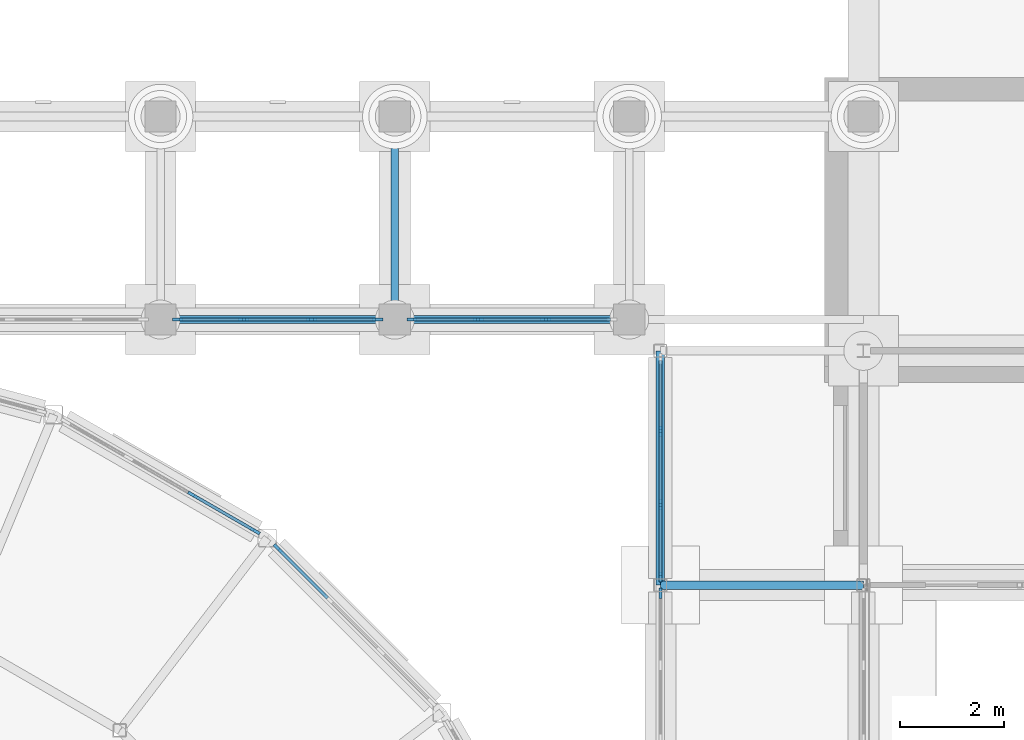
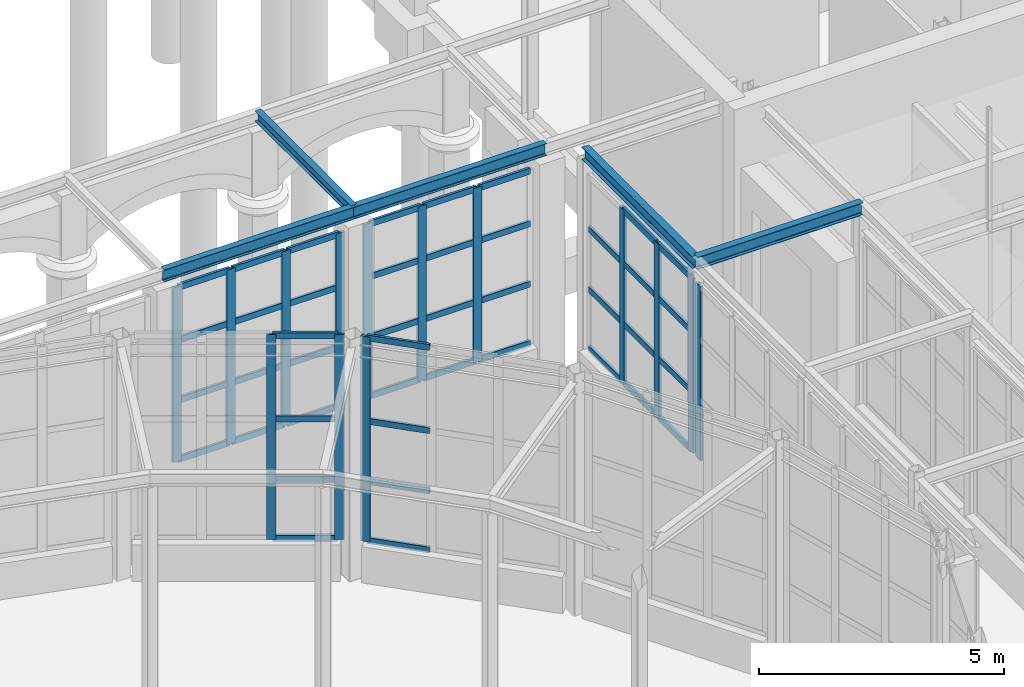
# One storey, part 48 of 106: 57 members, 5 beams, 6 elements without a shape of their own.
"""IFC4 building model written with IfcOpenShell, lengths in metres."""

from ifc_helpers import new_model, si_unit, direction, frame, origin, origin_2d, place, context, subcontext, project, spatial, rectangle, i_section, extrude, material, layer, layer_set, material_profile, profile_set, type_object, element, aggregate, save


model = new_model("IFC4")

# Units and contexts
model_context = context("Model", 3, precision=1e-05, world=origin(), true_north=direction((0.0, 1.0)))
body_context = subcontext(model_context, "Body", "Model", "MODEL_VIEW")
ifc_project = project(units=[si_unit("LENGTHUNIT", "METRE"), si_unit("AREAUNIT", "SQUARE_METRE"), si_unit("VOLUMEUNIT", "CUBIC_METRE"), si_unit("PLANEANGLEUNIT", "RADIAN"), si_unit("MASSUNIT", "GRAM", prefix="KILO")], contexts=[model_context])

# Site, building, storey
site_placement = place(None, origin())
site = spatial("IfcSite", under=ifc_project, at=site_placement, CompositionType="ELEMENT")
building_placement = place(site_placement, origin())
building = spatial("IfcBuilding", under=site, at=building_placement, Name="Hortulan Conservatory and Botanical Research Centre", CompositionType="ELEMENT")
storey_placement = place(building_placement, origin())
storey = spatial("IfcBuildingStorey", under=building, at=storey_placement, Name="L00", CompositionType="ELEMENT", Elevation=0.0)

# Beams
ifc_material_1 = material(Name="Steel Grade 300PLUS (AS/NZS 3679.1, 280 MPa minimum yield)", Category="steel")
ifc_material_profile_1 = material_profile(ifc_material_1, i_section(OverallWidth=0.14599609375, OverallDepth=0.251953125, WebThickness=0.006103515625, FlangeThickness=0.008544921875, FilletRadius=0.0087890625, at=origin_2d()), Name="250UB31.4")
ifc_profile_set_1 = profile_set([ifc_material_profile_1], Name="Steel Grade 300PLUS (AS/NZS 3679.1, 280 MPa minimum yield)")
beam_type_1 = type_object("IfcBeamType", Name="Arcade Cross Beam 250UB31.4", PredefinedType="BEAM", material=ifc_profile_set_1)
beam_1_placement = place(storey_placement, frame((67.5, 36.60009765625, 5.674072265625), z_axis=(0.0, 1.0, 0.0), x_axis=(-1.0, 0.0, 0.0)))
element("IfcBeam", 1, at=beam_1_placement, inside=storey, type_object=beam_type_1, Name="Arcade cross beam 25", PredefinedType="BEAM", context=body_context, shape_type="SweptSolid", body=[
    extrude(i_section(OverallWidth=0.14599609375, OverallDepth=0.251953125, WebThickness=0.006103515625, FlangeThickness=0.008544921875, FilletRadius=0.0087890625, at=origin_2d()), origin(), (0.0, 0.0, 1.0), 3.89990234375),
])
ifc_material_profile_2 = material_profile(ifc_material_1, i_section(OverallWidth=0.14892578125, OverallDepth=0.298095703125, WebThickness=0.005615234375, FlangeThickness=0.008056640625, FilletRadius=0.012939453125, at=origin_2d()), Name="310UB32.0")
ifc_profile_set_2 = profile_set([ifc_material_profile_2], Name="Steel Grade 300PLUS (AS/NZS 3679.1, 280 MPa minimum yield)")
beam_type_2 = type_object("IfcBeamType", Name="Arcade Rear Beam 310UB32.0", PredefinedType="BEAM", material=ifc_profile_set_2)
for number, where, z_axis, x_axis, name in (
    (2, (63.0, 36.60009765625, 5.65087890625), (1.0, 0.0, 0.0), (0.0, 1.0, 0.0), "Arcade rear beam 16"),
    (3, (67.5, 36.60009765625, 5.65087890625), (1.0, 0.0, 0.0), (0.0, 1.0, 0.0), "Arcade rear beam 17"),
):
    element("IfcBeam", number, at=place(storey_placement, frame(where, z_axis=z_axis, x_axis=x_axis)), inside=storey, type_object=beam_type_2, Name=name, PredefinedType="BEAM", context=body_context, shape_type="SweptSolid", body=[
        extrude(i_section(OverallWidth=0.14892578125, OverallDepth=0.298095703125, WebThickness=0.005615234375, FlangeThickness=0.008056640625, FilletRadius=0.012939453125, at=origin_2d()), origin(), (0.0, 0.0, 1.0), 4.5),
    ])

# Curtain wall, member
ifc_material_2 = material(Name="Bronze-finished aluminium", Category="aluminium")
ifc_layer = layer(ifc_material_2, 0.10009765625)
ifc_layer_set = layer_set([ifc_layer], Name="Bronze-framed Curtain Wall 1500 module")
curtain_wall_type = type_object("IfcCurtainWallType", Name="Bronze-framed Curtain Wall 1500 module", PredefinedType="NOTDEFINED", material=ifc_layer_set)
curtain_wall_1_placement = place(storey_placement, origin())
curtain_wall_1 = element("IfcCurtainWall", 4, at=curtain_wall_1_placement, inside=storey, type_object=curtain_wall_type, Name="Curtain wall", PredefinedType="NOTDEFINED")
ifc_material_profile_3 = material_profile(ifc_material_2, rectangle(XDim=0.06005859375, YDim=0.199951171875, at=origin_2d()), Name="Bronze Mullion 60x200")
ifc_profile_set_3 = profile_set([ifc_material_profile_3], Name="Bronze-finished aluminium")
member_type_1 = type_object("IfcMemberType", Name="Bronze Mullion 60x200", PredefinedType="MULLION", material=ifc_profile_set_3)
member_1_placement = place(storey_placement, frame((65.248291015625, 32.207763671875, 0.89990234375), z_axis=(0.0, 0.0, 1.0), x_axis=(0.707106781187, 0.707106781187, 0.0)))
member_1 = element("IfcMember", 5, at=member_1_placement, type_object=member_type_1, Name="CW1 mullion 1", PredefinedType="MULLION", context=body_context, shape_type="SweptSolid", body=[
    extrude(rectangle(XDim=0.06005859375, YDim=0.199951171875, at=origin_2d()), origin(), (0.0, 0.0, 1.0), 5.10009765625),
])

# Curtain wall, members
curtain_wall_2_placement = place(storey_placement, origin())
curtain_wall_2 = element("IfcCurtainWall", 6, at=curtain_wall_2_placement, inside=storey, type_object=curtain_wall_type, Name="Curtain wall", PredefinedType="NOTDEFINED")
member_2_placement = place(storey_placement, frame((63.614990234375, 33.2333984375, 0.89990234375), z_axis=(0.0, 0.0, 1.0), x_axis=(0.499981160235, 0.866036280655, 0.0)))
member_2 = element("IfcMember", 7, at=member_2_placement, type_object=member_type_1, Name="CW1 mullion 3", PredefinedType="MULLION", context=body_context, shape_type="SweptSolid", body=[
    extrude(rectangle(XDim=0.06005859375, YDim=0.199951171875, at=origin_2d()), origin(), (0.0, 0.0, 1.0), 5.10009765625),
])
member_3_placement = place(storey_placement, frame((64.81884765625, 32.538330078125, 0.89990234375), z_axis=(0.0, 0.0, 1.0), x_axis=(0.499981160235, 0.866036280655, 0.0)))
member_3 = element("IfcMember", 8, at=member_3_placement, type_object=member_type_1, Name="CW1 mullion 4", PredefinedType="MULLION", context=body_context, shape_type="SweptSolid", body=[
    extrude(rectangle(XDim=0.06005859375, YDim=0.199951171875, at=origin_2d()), origin(), (0.0, 0.0, 1.0), 5.10009765625),
])

# Curtain wall, member
curtain_wall_3_placement = place(storey_placement, origin())
curtain_wall_3 = element("IfcCurtainWall", 9, at=curtain_wall_3_placement, inside=storey, type_object=curtain_wall_type, Name="Curtain wall", PredefinedType="NOTDEFINED")
member_4_placement = place(storey_placement, frame((72.60009765625, 31.344970703125, 0.89990234375), z_axis=(0.0, 0.0, 1.0), x_axis=(-1.0, 0.0, 0.0)))
member_4 = element("IfcMember", 10, at=member_4_placement, type_object=member_type_1, Name="CW1 mullion 4", PredefinedType="MULLION", context=body_context, shape_type="SweptSolid", body=[
    extrude(rectangle(XDim=0.06005859375, YDim=0.199951171875, at=origin_2d()), origin(), (0.0, 0.0, 1.0), 4.340087890625),
])
aggregate(curtain_wall_3, [member_4])

# Curtain wall, members
curtain_wall_4_placement = place(storey_placement, origin())
curtain_wall_4 = element("IfcCurtainWall", 11, at=curtain_wall_4_placement, inside=storey, type_object=curtain_wall_type, Name="Curtain wall", PredefinedType="NOTDEFINED")
member_5_placement = place(storey_placement, frame((72.60009765625, 31.655029296875, 0.89990234375), z_axis=(0.0, 0.0, 1.0), x_axis=(-1.0, 0.0, 0.0)))
member_5 = element("IfcMember", 12, at=member_5_placement, type_object=member_type_1, Name="CW1 mullion 1", PredefinedType="MULLION", context=body_context, shape_type="SweptSolid", body=[
    extrude(rectangle(XDim=0.06005859375, YDim=0.199951171875, at=origin_2d()), origin(), (0.0, 0.0, 1.0), 4.340087890625),
])
member_6_placement = place(storey_placement, frame((72.60009765625, 33.041748046875, 0.89990234375), z_axis=(0.0, 0.0, 1.0), x_axis=(-1.0, 0.0, 0.0)))
member_6 = element("IfcMember", 13, at=member_6_placement, type_object=member_type_1, Name="CW1 mullion 2", PredefinedType="MULLION", context=body_context, shape_type="SweptSolid", body=[
    extrude(rectangle(XDim=0.06005859375, YDim=0.199951171875, at=origin_2d()), origin(), (0.0, 0.0, 1.0), 4.340087890625),
])
member_7_placement = place(storey_placement, frame((72.60009765625, 34.458251953125, 0.89990234375), z_axis=(0.0, 0.0, 1.0), x_axis=(-1.0, 0.0, 0.0)))
member_7 = element("IfcMember", 14, at=member_7_placement, type_object=member_type_1, Name="CW1 mullion 3", PredefinedType="MULLION", context=body_context, shape_type="SweptSolid", body=[
    extrude(rectangle(XDim=0.06005859375, YDim=0.199951171875, at=origin_2d()), origin(), (0.0, 0.0, 1.0), 4.340087890625),
])

curtain_wall_5_placement = place(storey_placement, origin())
curtain_wall_5 = element("IfcCurtainWall", 15, at=curtain_wall_5_placement, inside=storey, type_object=curtain_wall_type, Name="Curtain wall", PredefinedType="NOTDEFINED")
member_8_placement = place(storey_placement, frame((63.330078125, 36.60009765625, 0.89990234375), z_axis=(0.0, 0.0, 1.0), x_axis=(0.0, 1.0, 0.0)))
member_8 = element("IfcMember", 16, at=member_8_placement, type_object=member_type_1, Name="CW1 mullion 1", PredefinedType="MULLION", context=body_context, shape_type="SweptSolid", body=[
    extrude(rectangle(XDim=0.06005859375, YDim=0.199951171875, at=origin_2d()), origin(), (0.0, 0.0, 1.0), 4.340087890625),
])
member_9_placement = place(storey_placement, frame((64.60009765625, 36.60009765625, 0.89990234375), z_axis=(0.0, 0.0, 1.0), x_axis=(0.0, 1.0, 0.0)))
member_9 = element("IfcMember", 17, at=member_9_placement, type_object=member_type_1, Name="CW1 mullion 2", PredefinedType="MULLION", context=body_context, shape_type="SweptSolid", body=[
    extrude(rectangle(XDim=0.06005859375, YDim=0.199951171875, at=origin_2d()), origin(), (0.0, 0.0, 1.0), 4.340087890625),
])
member_10_placement = place(storey_placement, frame((65.89990234375, 36.60009765625, 0.89990234375), z_axis=(0.0, 0.0, 1.0), x_axis=(0.0, 1.0, 0.0)))
member_10 = element("IfcMember", 18, at=member_10_placement, type_object=member_type_1, Name="CW1 mullion 3", PredefinedType="MULLION", context=body_context, shape_type="SweptSolid", body=[
    extrude(rectangle(XDim=0.06005859375, YDim=0.199951171875, at=origin_2d()), origin(), (0.0, 0.0, 1.0), 4.340087890625),
])
member_11_placement = place(storey_placement, frame((67.169921875, 36.60009765625, 0.89990234375), z_axis=(0.0, 0.0, 1.0), x_axis=(0.0, 1.0, 0.0)))
member_11 = element("IfcMember", 19, at=member_11_placement, type_object=member_type_1, Name="CW1 mullion 4", PredefinedType="MULLION", context=body_context, shape_type="SweptSolid", body=[
    extrude(rectangle(XDim=0.06005859375, YDim=0.199951171875, at=origin_2d()), origin(), (0.0, 0.0, 1.0), 4.340087890625),
])

curtain_wall_6_placement = place(storey_placement, origin())
curtain_wall_6 = element("IfcCurtainWall", 20, at=curtain_wall_6_placement, inside=storey, type_object=curtain_wall_type, Name="Curtain wall", PredefinedType="NOTDEFINED")
member_12_placement = place(storey_placement, frame((67.830078125, 36.60009765625, 0.89990234375), z_axis=(0.0, 0.0, 1.0), x_axis=(0.0, 1.0, 0.0)))
member_12 = element("IfcMember", 21, at=member_12_placement, type_object=member_type_1, Name="CW1 mullion 1", PredefinedType="MULLION", context=body_context, shape_type="SweptSolid", body=[
    extrude(rectangle(XDim=0.06005859375, YDim=0.199951171875, at=origin_2d()), origin(), (0.0, 0.0, 1.0), 4.340087890625),
])
member_13_placement = place(storey_placement, frame((69.10009765625, 36.60009765625, 0.89990234375), z_axis=(0.0, 0.0, 1.0), x_axis=(0.0, 1.0, 0.0)))
member_13 = element("IfcMember", 22, at=member_13_placement, type_object=member_type_1, Name="CW1 mullion 2", PredefinedType="MULLION", context=body_context, shape_type="SweptSolid", body=[
    extrude(rectangle(XDim=0.06005859375, YDim=0.199951171875, at=origin_2d()), origin(), (0.0, 0.0, 1.0), 4.340087890625),
])
member_14_placement = place(storey_placement, frame((70.39990234375, 36.60009765625, 0.89990234375), z_axis=(0.0, 0.0, 1.0), x_axis=(0.0, 1.0, 0.0)))
member_14 = element("IfcMember", 23, at=member_14_placement, type_object=member_type_1, Name="CW1 mullion 3", PredefinedType="MULLION", context=body_context, shape_type="SweptSolid", body=[
    extrude(rectangle(XDim=0.06005859375, YDim=0.199951171875, at=origin_2d()), origin(), (0.0, 0.0, 1.0), 4.340087890625),
])

# Member
ifc_material_profile_4 = material_profile(ifc_material_2, rectangle(XDim=0.06005859375, YDim=0.14990234375, at=origin_2d()), Name="Bronze Transom 60x150")
ifc_profile_set_4 = profile_set([ifc_material_profile_4], Name="Bronze-finished aluminium")
member_type_2 = type_object("IfcMemberType", Name="Bronze Transom 60x150", PredefinedType="USERDEFINED", material=ifc_profile_set_4)
member_15_placement = place(storey_placement, frame((65.26953125, 32.1865234375, 0.929931640625), z_axis=(0.707014644009, -0.70719890636, 0.0), x_axis=(0.70719890636, 0.707014644009, 0.0)))
member_15 = element("IfcMember", 24, at=member_15_placement, type_object=member_type_2, Name="CW1 transom 1.1", ObjectType="TRANSOM", PredefinedType="USERDEFINED", context=body_context, shape_type="SweptSolid", body=[
    extrude(rectangle(XDim=0.06005859375, YDim=0.14990234375, at=origin_2d()), origin(), (0.0, 0.0, 1.0), 1.324951171875),
])

member_16_placement = place(storey_placement, frame((65.26953125, 32.1865234375, 2.39990234375), z_axis=(0.707014644009, -0.70719890636, 0.0), x_axis=(0.70719890636, 0.707014644009, 0.0)))
member_16 = element("IfcMember", 25, at=member_16_placement, type_object=member_type_2, Name="CW1 transom 1.2", ObjectType="TRANSOM", PredefinedType="USERDEFINED", context=body_context, shape_type="SweptSolid", body=[
    extrude(rectangle(XDim=0.06005859375, YDim=0.14990234375, at=origin_2d()), origin(), (0.0, 0.0, 1.0), 1.324951171875),
])

member_17_placement = place(storey_placement, frame((65.26953125, 32.1865234375, 3.89990234375), z_axis=(0.707014644009, -0.70719890636, 0.0), x_axis=(0.70719890636, 0.707014644009, 0.0)))
member_17 = element("IfcMember", 26, at=member_17_placement, type_object=member_type_2, Name="CW1 transom 1.3", ObjectType="TRANSOM", PredefinedType="USERDEFINED", context=body_context, shape_type="SweptSolid", body=[
    extrude(rectangle(XDim=0.06005859375, YDim=0.14990234375, at=origin_2d()), origin(), (0.0, 0.0, 1.0), 1.324951171875),
])

member_18_placement = place(storey_placement, frame((65.26953125, 32.1865234375, 5.969970703125), z_axis=(0.707014644009, -0.70719890636, 0.0), x_axis=(0.70719890636, 0.707014644009, 0.0)))
member_18 = element("IfcMember", 27, at=member_18_placement, type_object=member_type_2, Name="CW1 transom 1.4", ObjectType="TRANSOM", PredefinedType="USERDEFINED", context=body_context, shape_type="SweptSolid", body=[
    extrude(rectangle(XDim=0.06005859375, YDim=0.14990234375, at=origin_2d()), origin(), (0.0, 0.0, 1.0), 1.324951171875),
])

aggregate(curtain_wall_1, [member_1, member_15, member_16, member_17, member_18])

member_19_placement = place(storey_placement, frame((63.640869140625, 33.218505859375, 0.929931640625), z_axis=(0.866066400931, -0.499928984136, 0.0), x_axis=(0.499928984136, 0.866066400931, 0.0)))
member_19 = element("IfcMember", 28, at=member_19_placement, type_object=member_type_2, Name="CW1 transom 3.1", ObjectType="TRANSOM", PredefinedType="USERDEFINED", context=body_context, shape_type="SweptSolid", body=[
    extrude(rectangle(XDim=0.06005859375, YDim=0.14990234375, at=origin_2d()), origin(), (0.0, 0.0, 1.0), 1.330322265625),
])

member_20_placement = place(storey_placement, frame((63.640869140625, 33.218505859375, 2.39990234375), z_axis=(0.866066400931, -0.499928984136, 0.0), x_axis=(0.499928984136, 0.866066400931, 0.0)))
member_20 = element("IfcMember", 29, at=member_20_placement, type_object=member_type_2, Name="CW1 transom 3.2", ObjectType="TRANSOM", PredefinedType="USERDEFINED", context=body_context, shape_type="SweptSolid", body=[
    extrude(rectangle(XDim=0.06005859375, YDim=0.14990234375, at=origin_2d()), origin(), (0.0, 0.0, 1.0), 1.330322265625),
])

member_21_placement = place(storey_placement, frame((63.640869140625, 33.218505859375, 3.89990234375), z_axis=(0.866066400931, -0.499928984136, 0.0), x_axis=(0.499928984136, 0.866066400931, 0.0)))
member_21 = element("IfcMember", 30, at=member_21_placement, type_object=member_type_2, Name="CW1 transom 3.3", ObjectType="TRANSOM", PredefinedType="USERDEFINED", context=body_context, shape_type="SweptSolid", body=[
    extrude(rectangle(XDim=0.06005859375, YDim=0.14990234375, at=origin_2d()), origin(), (0.0, 0.0, 1.0), 1.330322265625),
])

member_22_placement = place(storey_placement, frame((63.640869140625, 33.218505859375, 5.969970703125), z_axis=(0.866066400931, -0.499928984136, 0.0), x_axis=(0.499928984136, 0.866066400931, 0.0)))
member_22 = element("IfcMember", 31, at=member_22_placement, type_object=member_type_2, Name="CW1 transom 3.4", ObjectType="TRANSOM", PredefinedType="USERDEFINED", context=body_context, shape_type="SweptSolid", body=[
    extrude(rectangle(XDim=0.06005859375, YDim=0.14990234375, at=origin_2d()), origin(), (0.0, 0.0, 1.0), 1.330322265625),
])

aggregate(curtain_wall_2, [member_2, member_3, member_19, member_20, member_21, member_22])

member_23_placement = place(storey_placement, frame((72.60009765625, 31.68505859375, 0.929931640625), z_axis=(0.0, 1.0, 0.0), x_axis=(-1.0, 0.0, 0.0)))
member_23 = element("IfcMember", 32, at=member_23_placement, type_object=member_type_2, Name="CW1 transom 1.1", ObjectType="TRANSOM", PredefinedType="USERDEFINED", context=body_context, shape_type="SweptSolid", body=[
    extrude(rectangle(XDim=0.06005859375, YDim=0.14990234375, at=origin_2d()), origin(), (0.0, 0.0, 1.0), 1.32666015625),
])

member_24_placement = place(storey_placement, frame((72.60009765625, 31.68505859375, 2.39990234375), z_axis=(0.0, 1.0, 0.0), x_axis=(-1.0, 0.0, 0.0)))
member_24 = element("IfcMember", 33, at=member_24_placement, type_object=member_type_2, Name="CW1 transom 1.2", ObjectType="TRANSOM", PredefinedType="USERDEFINED", context=body_context, shape_type="SweptSolid", body=[
    extrude(rectangle(XDim=0.06005859375, YDim=0.14990234375, at=origin_2d()), origin(), (0.0, 0.0, 1.0), 1.32666015625),
])

member_25_placement = place(storey_placement, frame((72.60009765625, 31.68505859375, 3.89990234375), z_axis=(0.0, 1.0, 0.0), x_axis=(-1.0, 0.0, 0.0)))
member_25 = element("IfcMember", 34, at=member_25_placement, type_object=member_type_2, Name="CW1 transom 1.3", ObjectType="TRANSOM", PredefinedType="USERDEFINED", context=body_context, shape_type="SweptSolid", body=[
    extrude(rectangle(XDim=0.06005859375, YDim=0.14990234375, at=origin_2d()), origin(), (0.0, 0.0, 1.0), 1.32666015625),
])

member_26_placement = place(storey_placement, frame((72.60009765625, 31.68505859375, 5.2099609375), z_axis=(0.0, 1.0, 0.0), x_axis=(-1.0, 0.0, 0.0)))
member_26 = element("IfcMember", 35, at=member_26_placement, type_object=member_type_2, Name="CW1 transom 1.4", ObjectType="TRANSOM", PredefinedType="USERDEFINED", context=body_context, shape_type="SweptSolid", body=[
    extrude(rectangle(XDim=0.06005859375, YDim=0.14990234375, at=origin_2d()), origin(), (0.0, 0.0, 1.0), 1.32666015625),
])

member_27_placement = place(storey_placement, frame((72.60009765625, 33.07177734375, 0.929931640625), z_axis=(0.0, 1.0, 0.0), x_axis=(-1.0, 0.0, 0.0)))
member_27 = element("IfcMember", 36, at=member_27_placement, type_object=member_type_2, Name="CW1 transom 2.1", ObjectType="TRANSOM", PredefinedType="USERDEFINED", context=body_context, shape_type="SweptSolid", body=[
    extrude(rectangle(XDim=0.06005859375, YDim=0.14990234375, at=origin_2d()), origin(), (0.0, 0.0, 1.0), 1.3564453125),
])

member_28_placement = place(storey_placement, frame((72.60009765625, 33.07177734375, 2.39990234375), z_axis=(0.0, 1.0, 0.0), x_axis=(-1.0, 0.0, 0.0)))
member_28 = element("IfcMember", 37, at=member_28_placement, type_object=member_type_2, Name="CW1 transom 2.2", ObjectType="TRANSOM", PredefinedType="USERDEFINED", context=body_context, shape_type="SweptSolid", body=[
    extrude(rectangle(XDim=0.06005859375, YDim=0.14990234375, at=origin_2d()), origin(), (0.0, 0.0, 1.0), 1.3564453125),
])

member_29_placement = place(storey_placement, frame((72.60009765625, 33.07177734375, 3.89990234375), z_axis=(0.0, 1.0, 0.0), x_axis=(-1.0, 0.0, 0.0)))
member_29 = element("IfcMember", 38, at=member_29_placement, type_object=member_type_2, Name="CW1 transom 2.3", ObjectType="TRANSOM", PredefinedType="USERDEFINED", context=body_context, shape_type="SweptSolid", body=[
    extrude(rectangle(XDim=0.06005859375, YDim=0.14990234375, at=origin_2d()), origin(), (0.0, 0.0, 1.0), 1.3564453125),
])

member_30_placement = place(storey_placement, frame((72.60009765625, 33.07177734375, 5.2099609375), z_axis=(0.0, 1.0, 0.0), x_axis=(-1.0, 0.0, 0.0)))
member_30 = element("IfcMember", 39, at=member_30_placement, type_object=member_type_2, Name="CW1 transom 2.4", ObjectType="TRANSOM", PredefinedType="USERDEFINED", context=body_context, shape_type="SweptSolid", body=[
    extrude(rectangle(XDim=0.06005859375, YDim=0.14990234375, at=origin_2d()), origin(), (0.0, 0.0, 1.0), 1.3564453125),
])

member_31_placement = place(storey_placement, frame((72.60009765625, 34.48828125, 0.929931640625), z_axis=(0.0, 1.0, 0.0), x_axis=(-1.0, 0.0, 0.0)))
member_31 = element("IfcMember", 40, at=member_31_placement, type_object=member_type_2, Name="CW1 transom 3.1", ObjectType="TRANSOM", PredefinedType="USERDEFINED", context=body_context, shape_type="SweptSolid", body=[
    extrude(rectangle(XDim=0.06005859375, YDim=0.14990234375, at=origin_2d()), origin(), (0.0, 0.0, 1.0), 1.32666015625),
])

member_32_placement = place(storey_placement, frame((72.60009765625, 34.48828125, 2.39990234375), z_axis=(0.0, 1.0, 0.0), x_axis=(-1.0, 0.0, 0.0)))
member_32 = element("IfcMember", 41, at=member_32_placement, type_object=member_type_2, Name="CW1 transom 3.2", ObjectType="TRANSOM", PredefinedType="USERDEFINED", context=body_context, shape_type="SweptSolid", body=[
    extrude(rectangle(XDim=0.06005859375, YDim=0.14990234375, at=origin_2d()), origin(), (0.0, 0.0, 1.0), 1.32666015625),
])

member_33_placement = place(storey_placement, frame((72.60009765625, 34.48828125, 3.89990234375), z_axis=(0.0, 1.0, 0.0), x_axis=(-1.0, 0.0, 0.0)))
member_33 = element("IfcMember", 42, at=member_33_placement, type_object=member_type_2, Name="CW1 transom 3.3", ObjectType="TRANSOM", PredefinedType="USERDEFINED", context=body_context, shape_type="SweptSolid", body=[
    extrude(rectangle(XDim=0.06005859375, YDim=0.14990234375, at=origin_2d()), origin(), (0.0, 0.0, 1.0), 1.32666015625),
])

aggregate(curtain_wall_4, [member_5, member_6, member_7, member_23, member_24, member_25, member_26, member_27, member_28, member_29, member_30, member_31, member_32, member_33])

member_34_placement = place(storey_placement, frame((63.360107421875, 36.60009765625, 0.929931640625), z_axis=(1.0, 0.0, 0.0), x_axis=(0.0, 1.0, 0.0)))
member_34 = element("IfcMember", 43, at=member_34_placement, type_object=member_type_2, Name="CW1 transom 1.1", ObjectType="TRANSOM", PredefinedType="USERDEFINED", context=body_context, shape_type="SweptSolid", body=[
    extrude(rectangle(XDim=0.06005859375, YDim=0.14990234375, at=origin_2d()), origin(), (0.0, 0.0, 1.0), 1.2099609375),
])

member_35_placement = place(storey_placement, frame((63.360107421875, 36.60009765625, 2.39990234375), z_axis=(1.0, 0.0, 0.0), x_axis=(0.0, 1.0, 0.0)))
member_35 = element("IfcMember", 44, at=member_35_placement, type_object=member_type_2, Name="CW1 transom 1.2", ObjectType="TRANSOM", PredefinedType="USERDEFINED", context=body_context, shape_type="SweptSolid", body=[
    extrude(rectangle(XDim=0.06005859375, YDim=0.14990234375, at=origin_2d()), origin(), (0.0, 0.0, 1.0), 1.2099609375),
])

member_36_placement = place(storey_placement, frame((63.360107421875, 36.60009765625, 3.89990234375), z_axis=(1.0, 0.0, 0.0), x_axis=(0.0, 1.0, 0.0)))
member_36 = element("IfcMember", 45, at=member_36_placement, type_object=member_type_2, Name="CW1 transom 1.3", ObjectType="TRANSOM", PredefinedType="USERDEFINED", context=body_context, shape_type="SweptSolid", body=[
    extrude(rectangle(XDim=0.06005859375, YDim=0.14990234375, at=origin_2d()), origin(), (0.0, 0.0, 1.0), 1.2099609375),
])

member_37_placement = place(storey_placement, frame((63.360107421875, 36.60009765625, 5.2099609375), z_axis=(1.0, 0.0, 0.0), x_axis=(0.0, 1.0, 0.0)))
member_37 = element("IfcMember", 46, at=member_37_placement, type_object=member_type_2, Name="CW1 transom 1.4", ObjectType="TRANSOM", PredefinedType="USERDEFINED", context=body_context, shape_type="SweptSolid", body=[
    extrude(rectangle(XDim=0.06005859375, YDim=0.14990234375, at=origin_2d()), origin(), (0.0, 0.0, 1.0), 1.2099609375),
])

member_38_placement = place(storey_placement, frame((64.6298828125, 36.60009765625, 0.929931640625), z_axis=(1.0, 0.0, 0.0), x_axis=(0.0, 1.0, 0.0)))
member_38 = element("IfcMember", 47, at=member_38_placement, type_object=member_type_2, Name="CW1 transom 2.1", ObjectType="TRANSOM", PredefinedType="USERDEFINED", context=body_context, shape_type="SweptSolid", body=[
    extrude(rectangle(XDim=0.06005859375, YDim=0.14990234375, at=origin_2d()), origin(), (0.0, 0.0, 1.0), 1.240234375),
])

member_39_placement = place(storey_placement, frame((64.6298828125, 36.60009765625, 2.39990234375), z_axis=(1.0, 0.0, 0.0), x_axis=(0.0, 1.0, 0.0)))
member_39 = element("IfcMember", 48, at=member_39_placement, type_object=member_type_2, Name="CW1 transom 2.2", ObjectType="TRANSOM", PredefinedType="USERDEFINED", context=body_context, shape_type="SweptSolid", body=[
    extrude(rectangle(XDim=0.06005859375, YDim=0.14990234375, at=origin_2d()), origin(), (0.0, 0.0, 1.0), 1.240234375),
])

member_40_placement = place(storey_placement, frame((64.6298828125, 36.60009765625, 3.89990234375), z_axis=(1.0, 0.0, 0.0), x_axis=(0.0, 1.0, 0.0)))
member_40 = element("IfcMember", 49, at=member_40_placement, type_object=member_type_2, Name="CW1 transom 2.3", ObjectType="TRANSOM", PredefinedType="USERDEFINED", context=body_context, shape_type="SweptSolid", body=[
    extrude(rectangle(XDim=0.06005859375, YDim=0.14990234375, at=origin_2d()), origin(), (0.0, 0.0, 1.0), 1.240234375),
])

member_41_placement = place(storey_placement, frame((64.6298828125, 36.60009765625, 5.2099609375), z_axis=(1.0, 0.0, 0.0), x_axis=(0.0, 1.0, 0.0)))
member_41 = element("IfcMember", 50, at=member_41_placement, type_object=member_type_2, Name="CW1 transom 2.4", ObjectType="TRANSOM", PredefinedType="USERDEFINED", context=body_context, shape_type="SweptSolid", body=[
    extrude(rectangle(XDim=0.06005859375, YDim=0.14990234375, at=origin_2d()), origin(), (0.0, 0.0, 1.0), 1.240234375),
])

member_42_placement = place(storey_placement, frame((65.929931640625, 36.60009765625, 0.929931640625), z_axis=(1.0, 0.0, 0.0), x_axis=(0.0, 1.0, 0.0)))
member_42 = element("IfcMember", 51, at=member_42_placement, type_object=member_type_2, Name="CW1 transom 3.1", ObjectType="TRANSOM", PredefinedType="USERDEFINED", context=body_context, shape_type="SweptSolid", body=[
    extrude(rectangle(XDim=0.06005859375, YDim=0.14990234375, at=origin_2d()), origin(), (0.0, 0.0, 1.0), 1.2099609375),
])

member_43_placement = place(storey_placement, frame((65.929931640625, 36.60009765625, 2.39990234375), z_axis=(1.0, 0.0, 0.0), x_axis=(0.0, 1.0, 0.0)))
member_43 = element("IfcMember", 52, at=member_43_placement, type_object=member_type_2, Name="CW1 transom 3.2", ObjectType="TRANSOM", PredefinedType="USERDEFINED", context=body_context, shape_type="SweptSolid", body=[
    extrude(rectangle(XDim=0.06005859375, YDim=0.14990234375, at=origin_2d()), origin(), (0.0, 0.0, 1.0), 1.2099609375),
])

member_44_placement = place(storey_placement, frame((65.929931640625, 36.60009765625, 3.89990234375), z_axis=(1.0, 0.0, 0.0), x_axis=(0.0, 1.0, 0.0)))
member_44 = element("IfcMember", 53, at=member_44_placement, type_object=member_type_2, Name="CW1 transom 3.3", ObjectType="TRANSOM", PredefinedType="USERDEFINED", context=body_context, shape_type="SweptSolid", body=[
    extrude(rectangle(XDim=0.06005859375, YDim=0.14990234375, at=origin_2d()), origin(), (0.0, 0.0, 1.0), 1.2099609375),
])

member_45_placement = place(storey_placement, frame((65.929931640625, 36.60009765625, 5.2099609375), z_axis=(1.0, 0.0, 0.0), x_axis=(0.0, 1.0, 0.0)))
member_45 = element("IfcMember", 54, at=member_45_placement, type_object=member_type_2, Name="CW1 transom 3.4", ObjectType="TRANSOM", PredefinedType="USERDEFINED", context=body_context, shape_type="SweptSolid", body=[
    extrude(rectangle(XDim=0.06005859375, YDim=0.14990234375, at=origin_2d()), origin(), (0.0, 0.0, 1.0), 1.2099609375),
])

aggregate(curtain_wall_5, [member_8, member_9, member_10, member_11, member_34, member_35, member_36, member_37, member_38, member_39, member_40, member_41, member_42, member_43, member_44, member_45])

member_46_placement = place(storey_placement, frame((67.860107421875, 36.60009765625, 0.929931640625), z_axis=(1.0, 0.0, 0.0), x_axis=(0.0, 1.0, 0.0)))
member_46 = element("IfcMember", 55, at=member_46_placement, type_object=member_type_2, Name="CW1 transom 1.1", ObjectType="TRANSOM", PredefinedType="USERDEFINED", context=body_context, shape_type="SweptSolid", body=[
    extrude(rectangle(XDim=0.06005859375, YDim=0.14990234375, at=origin_2d()), origin(), (0.0, 0.0, 1.0), 1.2099609375),
])

member_47_placement = place(storey_placement, frame((67.860107421875, 36.60009765625, 2.39990234375), z_axis=(1.0, 0.0, 0.0), x_axis=(0.0, 1.0, 0.0)))
member_47 = element("IfcMember", 56, at=member_47_placement, type_object=member_type_2, Name="CW1 transom 1.2", ObjectType="TRANSOM", PredefinedType="USERDEFINED", context=body_context, shape_type="SweptSolid", body=[
    extrude(rectangle(XDim=0.06005859375, YDim=0.14990234375, at=origin_2d()), origin(), (0.0, 0.0, 1.0), 1.2099609375),
])

member_48_placement = place(storey_placement, frame((67.860107421875, 36.60009765625, 3.89990234375), z_axis=(1.0, 0.0, 0.0), x_axis=(0.0, 1.0, 0.0)))
member_48 = element("IfcMember", 57, at=member_48_placement, type_object=member_type_2, Name="CW1 transom 1.3", ObjectType="TRANSOM", PredefinedType="USERDEFINED", context=body_context, shape_type="SweptSolid", body=[
    extrude(rectangle(XDim=0.06005859375, YDim=0.14990234375, at=origin_2d()), origin(), (0.0, 0.0, 1.0), 1.2099609375),
])

member_49_placement = place(storey_placement, frame((67.860107421875, 36.60009765625, 5.2099609375), z_axis=(1.0, 0.0, 0.0), x_axis=(0.0, 1.0, 0.0)))
member_49 = element("IfcMember", 58, at=member_49_placement, type_object=member_type_2, Name="CW1 transom 1.4", ObjectType="TRANSOM", PredefinedType="USERDEFINED", context=body_context, shape_type="SweptSolid", body=[
    extrude(rectangle(XDim=0.06005859375, YDim=0.14990234375, at=origin_2d()), origin(), (0.0, 0.0, 1.0), 1.2099609375),
])

member_50_placement = place(storey_placement, frame((69.1298828125, 36.60009765625, 0.929931640625), z_axis=(1.0, 0.0, 0.0), x_axis=(0.0, 1.0, 0.0)))
member_50 = element("IfcMember", 59, at=member_50_placement, type_object=member_type_2, Name="CW1 transom 2.1", ObjectType="TRANSOM", PredefinedType="USERDEFINED", context=body_context, shape_type="SweptSolid", body=[
    extrude(rectangle(XDim=0.06005859375, YDim=0.14990234375, at=origin_2d()), origin(), (0.0, 0.0, 1.0), 1.240234375),
])

member_51_placement = place(storey_placement, frame((69.1298828125, 36.60009765625, 2.39990234375), z_axis=(1.0, 0.0, 0.0), x_axis=(0.0, 1.0, 0.0)))
member_51 = element("IfcMember", 60, at=member_51_placement, type_object=member_type_2, Name="CW1 transom 2.2", ObjectType="TRANSOM", PredefinedType="USERDEFINED", context=body_context, shape_type="SweptSolid", body=[
    extrude(rectangle(XDim=0.06005859375, YDim=0.14990234375, at=origin_2d()), origin(), (0.0, 0.0, 1.0), 1.240234375),
])

member_52_placement = place(storey_placement, frame((69.1298828125, 36.60009765625, 3.89990234375), z_axis=(1.0, 0.0, 0.0), x_axis=(0.0, 1.0, 0.0)))
member_52 = element("IfcMember", 61, at=member_52_placement, type_object=member_type_2, Name="CW1 transom 2.3", ObjectType="TRANSOM", PredefinedType="USERDEFINED", context=body_context, shape_type="SweptSolid", body=[
    extrude(rectangle(XDim=0.06005859375, YDim=0.14990234375, at=origin_2d()), origin(), (0.0, 0.0, 1.0), 1.240234375),
])

member_53_placement = place(storey_placement, frame((69.1298828125, 36.60009765625, 5.2099609375), z_axis=(1.0, 0.0, 0.0), x_axis=(0.0, 1.0, 0.0)))
member_53 = element("IfcMember", 62, at=member_53_placement, type_object=member_type_2, Name="CW1 transom 2.4", ObjectType="TRANSOM", PredefinedType="USERDEFINED", context=body_context, shape_type="SweptSolid", body=[
    extrude(rectangle(XDim=0.06005859375, YDim=0.14990234375, at=origin_2d()), origin(), (0.0, 0.0, 1.0), 1.240234375),
])

member_54_placement = place(storey_placement, frame((70.429931640625, 36.60009765625, 0.929931640625), z_axis=(1.0, 0.0, 0.0), x_axis=(0.0, 1.0, 0.0)))
member_54 = element("IfcMember", 63, at=member_54_placement, type_object=member_type_2, Name="CW1 transom 3.1", ObjectType="TRANSOM", PredefinedType="USERDEFINED", context=body_context, shape_type="SweptSolid", body=[
    extrude(rectangle(XDim=0.06005859375, YDim=0.14990234375, at=origin_2d()), origin(), (0.0, 0.0, 1.0), 1.2099609375),
])

member_55_placement = place(storey_placement, frame((70.429931640625, 36.60009765625, 2.39990234375), z_axis=(1.0, 0.0, 0.0), x_axis=(0.0, 1.0, 0.0)))
member_55 = element("IfcMember", 64, at=member_55_placement, type_object=member_type_2, Name="CW1 transom 3.2", ObjectType="TRANSOM", PredefinedType="USERDEFINED", context=body_context, shape_type="SweptSolid", body=[
    extrude(rectangle(XDim=0.06005859375, YDim=0.14990234375, at=origin_2d()), origin(), (0.0, 0.0, 1.0), 1.2099609375),
])

member_56_placement = place(storey_placement, frame((70.429931640625, 36.60009765625, 3.89990234375), z_axis=(1.0, 0.0, 0.0), x_axis=(0.0, 1.0, 0.0)))
member_56 = element("IfcMember", 65, at=member_56_placement, type_object=member_type_2, Name="CW1 transom 3.3", ObjectType="TRANSOM", PredefinedType="USERDEFINED", context=body_context, shape_type="SweptSolid", body=[
    extrude(rectangle(XDim=0.06005859375, YDim=0.14990234375, at=origin_2d()), origin(), (0.0, 0.0, 1.0), 1.2099609375),
])

member_57_placement = place(storey_placement, frame((70.429931640625, 36.60009765625, 5.2099609375), z_axis=(1.0, 0.0, 0.0), x_axis=(0.0, 1.0, 0.0)))
member_57 = element("IfcMember", 66, at=member_57_placement, type_object=member_type_2, Name="CW1 transom 3.4", ObjectType="TRANSOM", PredefinedType="USERDEFINED", context=body_context, shape_type="SweptSolid", body=[
    extrude(rectangle(XDim=0.06005859375, YDim=0.14990234375, at=origin_2d()), origin(), (0.0, 0.0, 1.0), 1.2099609375),
])

aggregate(curtain_wall_6, [member_12, member_13, member_14, member_46, member_47, member_48, member_49, member_50, member_51, member_52, member_53, member_54, member_55, member_56, member_57])

# Beams
ifc_material_profile_5 = material_profile(ifc_material_1, i_section(OverallWidth=0.1650390625, OverallDepth=0.303955078125, WebThickness=0.006103515625, FlangeThickness=0.01025390625, FilletRadius=0.011474609375, at=origin_2d()), Name="310UB40.4")
ifc_profile_set_5 = profile_set([ifc_material_profile_5], Name="Steel Grade 300PLUS (AS/NZS 3679.1, 280 MPa minimum yield)")
beam_type_3 = type_object("IfcBeamType", Name="Head Link Beam 310UB40.4", PredefinedType="BEAM", material=ifc_profile_set_5)
beam_2_placement = place(storey_placement, frame((72.60009765625, 31.5, 5.697998046875), z_axis=(0.0, 1.0, 0.0), x_axis=(-1.0, 0.0, 0.0)))
element("IfcBeam", 67, at=beam_2_placement, inside=storey, type_object=beam_type_3, Name="HE passage beam 5", PredefinedType="BEAM", context=body_context, shape_type="SweptSolid", body=[
    extrude(i_section(OverallWidth=0.1650390625, OverallDepth=0.303955078125, WebThickness=0.006103515625, FlangeThickness=0.01025390625, FilletRadius=0.011474609375, at=origin_2d()), origin(), (0.0, 0.0, 1.0), 4.5),
])
beam_3_placement = place(storey_placement, frame((72.60009765625, 31.5, 5.697998046875), z_axis=(1.0, 0.0, 0.0), x_axis=(0.0, 1.0, 0.0)))
element("IfcBeam", 68, at=beam_3_placement, inside=storey, type_object=beam_type_3, Name="HE passage beam 8", PredefinedType="BEAM", context=body_context, shape_type="SweptSolid", body=[
    extrude(i_section(OverallWidth=0.1650390625, OverallDepth=0.303955078125, WebThickness=0.006103515625, FlangeThickness=0.01025390625, FilletRadius=0.011474609375, at=origin_2d()), origin(), (0.0, 0.0, 1.0), 3.89990234375),
])

save(model, "model.ifc")
